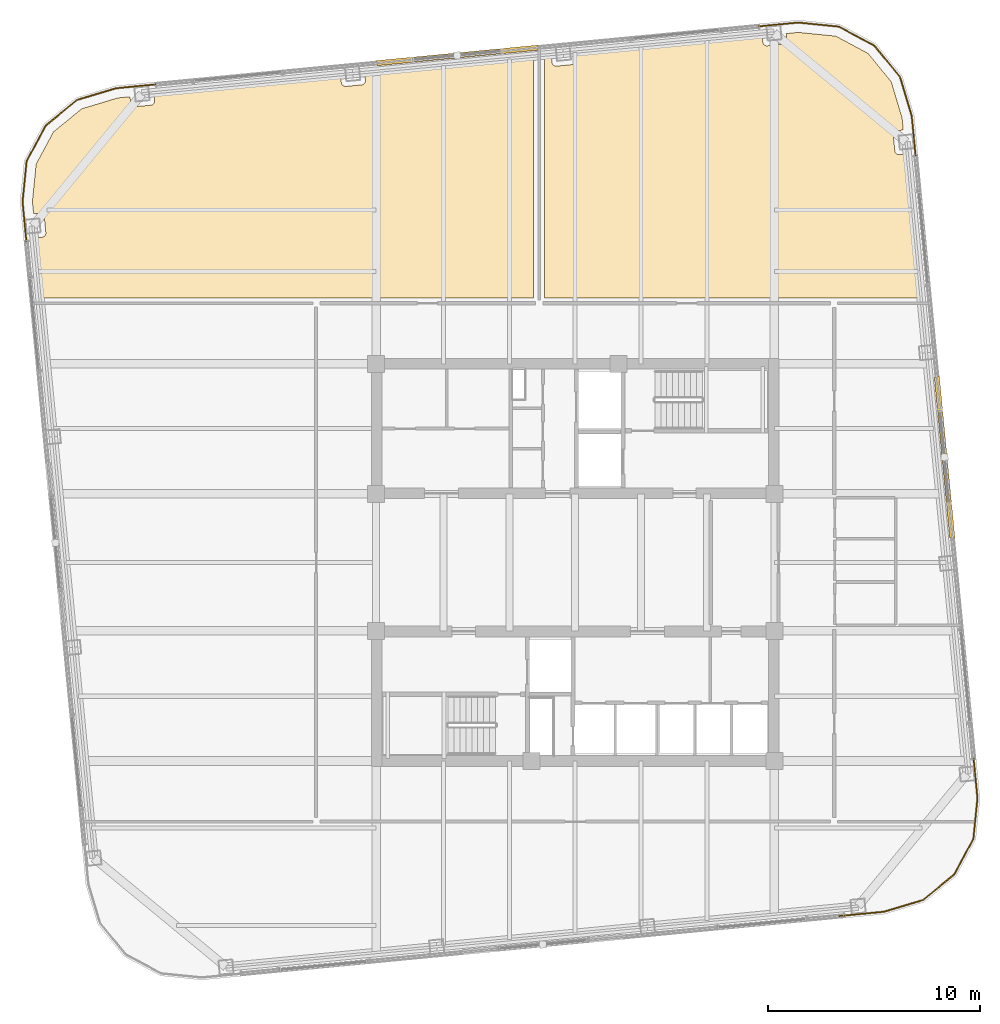
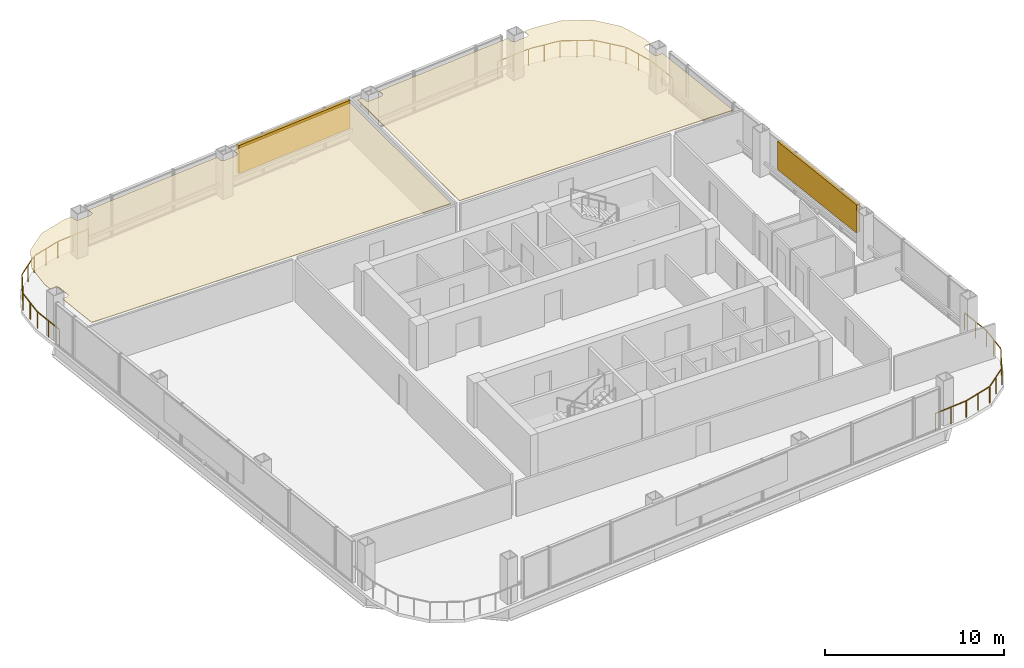
# One storey, part 28 of 28: 4 railings, 2 coverings, 2 shading devices.
"""IFC4 building model written with IfcOpenShell, lengths in metres."""

from ifc_helpers import new_model, si_unit, direction, frame, origin, origin_2d, place, context, subcontext, project, spatial, polyline, rectangle, outline, extrude, material, layer, layer_set, type_object, element, save


model = new_model("IFC4")

# Units and contexts
model_context = context("Model", 3, precision=1e-05, world=origin(), true_north=direction((0.0, 1.0)))
body_context = subcontext(model_context, "Body", "Model", "MODEL_VIEW")
ifc_project = project(units=[si_unit("LENGTHUNIT", "METRE"), si_unit("AREAUNIT", "SQUARE_METRE"), si_unit("VOLUMEUNIT", "CUBIC_METRE"), si_unit("PLANEANGLEUNIT", "RADIAN"), si_unit("MASSUNIT", "GRAM", prefix="KILO")], contexts=[model_context])

# Site, building, storey
site_placement = place(None, origin())
site = spatial("IfcSite", under=ifc_project, at=site_placement, CompositionType="ELEMENT")
building_placement = place(site_placement, origin())
building = spatial("IfcBuilding", under=site, at=building_placement, Name="Qhalaya Broadcast Tower", CompositionType="ELEMENT")
storey_placement = place(building_placement, frame((0.0, 0.0, 159.199951171875)))
storey = spatial("IfcBuildingStorey", under=building, at=storey_placement, Name="L46", CompositionType="ELEMENT", Elevation=159.199951171875)

# Coverings
ifc_material_1 = material(Name="Acoustic Mineral-Fibre Ceiling")
ifc_layer = layer(ifc_material_1, 0.0400390625, Name="Acoustic Mineral-Fibre Ceiling")
ifc_layer_set = layer_set([ifc_layer], Name="Acoustic Mineral-Fibre Ceiling")
covering_type = type_object("IfcCoveringType", Name="Acoustic Mineral-Fibre Suspended Ceiling CLG-01", PredefinedType="CEILING", material=ifc_layer_set)
covering_1_placement = place(storey_placement, frame((0.0, 0.0, 2.7900390625)))
element("IfcCovering", 1, at=covering_1_placement, inside=storey, type_object=covering_type, Name="L46 Acoustic Suspended Ceiling 01", PredefinedType="CEILING", context=body_context, shape_type="SweptSolid", body=[
    extrude(outline(polyline([(-25.3935546875, 15.88232421875), (-25.12158203125, 13.06005859375), (-1.9599609375, 13.06005859375), (-1.9599609375, 24.357177734375), (-9.904541015625, 23.59228515625), (-9.876708984375, 23.3037109375), (-9.875732421875, 23.2841796875), (-9.876708984375, 23.264404296875), (-9.879638671875, 23.2451171875), (-9.884521484375, 23.22607421875), (-9.89111328125, 23.20751953125), (-9.899658203125, 23.18994140625), (-9.90966796875, 23.173095703125), (-9.92138671875, 23.1572265625), (-9.934814453125, 23.142822265625), (-9.94921875, 23.129638671875), (-9.965087890625, 23.117919921875), (-9.98193359375, 23.10791015625), (-9.99951171875, 23.099609375), (-10.01806640625, 23.093017578125), (-10.037109375, 23.08837890625), (-10.056640625, 23.08544921875), (-10.793212890625, 23.014404296875), (-10.812744140625, 23.013427734375), (-10.83251953125, 23.014404296875), (-10.851806640625, 23.017333984375), (-10.870849609375, 23.022216796875), (-10.889404296875, 23.02880859375), (-10.906982421875, 23.037353515625), (-10.923828125, 23.04736328125), (-10.939697265625, 23.05908203125), (-10.9541015625, 23.072509765625), (-10.96728515625, 23.0869140625), (-10.97900390625, 23.102783203125), (-10.989013671875, 23.11962890625), (-10.997314453125, 23.137451171875), (-11.00390625, 23.15576171875), (-11.008544921875, 23.1748046875), (-11.011474609375, 23.1943359375), (-11.039306640625, 23.483154296875), (-19.8251953125, 22.636962890625), (-19.797607421875, 22.348388671875), (-19.796630859375, 22.328857421875), (-19.797607421875, 22.30908203125), (-19.800537109375, 22.289794921875), (-19.805419921875, 22.270751953125), (-19.81201171875, 22.252197265625), (-19.8203125, 22.234619140625), (-19.83056640625, 22.2177734375), (-19.84228515625, 22.201904296875), (-19.85546875, 22.1875), (-19.8701171875, 22.17431640625), (-19.8857421875, 22.16259765625), (-19.902587890625, 22.152587890625), (-19.92041015625, 22.144287109375), (-19.93896484375, 22.1376953125), (-19.9580078125, 22.133056640625), (-19.977294921875, 22.130126953125), (-20.714111328125, 22.05908203125), (-20.733642578125, 22.05810546875), (-20.753173828125, 22.05908203125), (-20.772705078125, 22.06201171875), (-20.791748046875, 22.06689453125), (-20.81005859375, 22.073486328125), (-20.827880859375, 22.08203125), (-20.8447265625, 22.092041015625), (-20.8603515625, 22.10400390625), (-20.875, 22.1171875), (-20.88818359375, 22.131591796875), (-20.899658203125, 22.1474609375), (-20.909912109375, 22.164306640625), (-20.918212890625, 22.18212890625), (-20.9248046875, 22.200439453125), (-20.929443359375, 22.219482421875), (-20.932373046875, 22.239013671875), (-20.960205078125, 22.527587890625), (-21.5302734375, 22.472900390625), (-23.2333984375, 21.960205078125), (-24.5654296875, 20.8720703125), (-25.379638671875, 19.356689453125), (-25.5576171875, 17.58740234375), (-25.502685546875, 17.01708984375), (-25.214111328125, 17.044921875), (-25.194580078125, 17.0458984375), (-25.175048828125, 17.044921875), (-25.155517578125, 17.0419921875), (-25.136474609375, 17.037109375), (-25.1181640625, 17.030517578125), (-25.100341796875, 17.02197265625), (-25.08349609375, 17.011962890625), (-25.06787109375, 17.0), (-25.05322265625, 16.98681640625), (-25.0400390625, 16.972412109375), (-25.028564453125, 16.95654296875), (-25.018310546875, 16.939697265625), (-25.010009765625, 16.922119140625), (-25.00341796875, 16.903564453125), (-24.998779296875, 16.884521484375), (-24.995849609375, 16.864990234375), (-24.9248046875, 16.12841796875), (-24.924072265625, 16.10888671875), (-24.925048828125, 16.089111328125), (-24.927978515625, 16.06982421875), (-24.9326171875, 16.05078125), (-24.939453125, 16.0322265625), (-24.94775390625, 16.0146484375), (-24.9580078125, 15.997802734375), (-24.9697265625, 15.98193359375), (-24.98291015625, 15.967529296875), (-24.997314453125, 15.954345703125), (-25.01318359375, 15.942626953125), (-25.030029296875, 15.9326171875), (-25.0478515625, 15.92431640625), (-25.06640625, 15.917724609375), (-25.08544921875, 15.9130859375), (-25.104736328125, 15.91015625), (-25.3935546875, 15.88232421875)])), origin(), (0.0, 0.0, 1.0), 0.0400390625),
])
covering_2_placement = place(storey_placement, frame((0.0, 0.0, 2.7900390625)))
element("IfcCovering", 2, at=covering_2_placement, inside=storey, type_object=covering_type, Name="L46 Acoustic Suspended Ceiling 02", PredefinedType="CEILING", context=body_context, shape_type="SweptSolid", body=[
    extrude(outline(polyline([(-1.118408203125, 24.438232421875), (-1.43994140625, 24.4072265625), (-1.43994140625, 13.06005859375), (16.20849609375, 13.06005859375), (15.556884765625, 19.8251953125), (15.268310546875, 19.797607421875), (15.248779296875, 19.796630859375), (15.229248046875, 19.797607421875), (15.209716796875, 19.800537109375), (15.190673828125, 19.805419921875), (15.17236328125, 19.81201171875), (15.154541015625, 19.8203125), (15.1376953125, 19.83056640625), (15.1220703125, 19.84228515625), (15.107421875, 19.85546875), (15.09423828125, 19.8701171875), (15.082763671875, 19.8857421875), (15.072509765625, 19.902587890625), (15.064208984375, 19.92041015625), (15.0576171875, 19.93896484375), (15.052978515625, 19.9580078125), (15.050048828125, 19.977294921875), (14.97900390625, 20.714111328125), (14.978271484375, 20.733642578125), (14.979248046875, 20.753173828125), (14.982177734375, 20.772705078125), (14.98681640625, 20.791748046875), (14.99365234375, 20.81005859375), (15.001953125, 20.827880859375), (15.01220703125, 20.8447265625), (15.02392578125, 20.8603515625), (15.037109375, 20.875), (15.051513671875, 20.88818359375), (15.0673828125, 20.899658203125), (15.084228515625, 20.909912109375), (15.10205078125, 20.918212890625), (15.12060546875, 20.9248046875), (15.1396484375, 20.929443359375), (15.158935546875, 20.932373046875), (15.44775390625, 20.960205078125), (15.392822265625, 21.5302734375), (14.88037109375, 23.2333984375), (13.7919921875, 24.5654296875), (12.276611328125, 25.379638671875), (10.50732421875, 25.5576171875), (9.93701171875, 25.502685546875), (9.96484375, 25.214111328125), (9.9658203125, 25.194580078125), (9.96484375, 25.175048828125), (9.9619140625, 25.155517578125), (9.95703125, 25.136474609375), (9.950439453125, 25.1181640625), (9.94189453125, 25.100341796875), (9.931884765625, 25.08349609375), (9.920166015625, 25.06787109375), (9.906982421875, 25.05322265625), (9.892333984375, 25.0400390625), (9.876708984375, 25.028564453125), (9.859619140625, 25.018310546875), (9.842041015625, 25.010009765625), (9.823486328125, 25.00341796875), (9.804443359375, 24.998779296875), (9.784912109375, 24.995849609375), (9.04833984375, 24.9248046875), (9.02880859375, 24.924072265625), (9.00927734375, 24.925048828125), (8.98974609375, 24.927978515625), (8.970703125, 24.9326171875), (8.952392578125, 24.939453125), (8.9345703125, 24.94775390625), (8.917724609375, 24.9580078125), (8.902099609375, 24.9697265625), (8.887451171875, 24.98291015625), (8.874267578125, 24.997314453125), (8.86279296875, 25.01318359375), (8.8525390625, 25.030029296875), (8.84423828125, 25.0478515625), (8.837646484375, 25.06640625), (8.8330078125, 25.08544921875), (8.830078125, 25.104736328125), (8.80224609375, 25.3935546875), (0.016357421875, 24.547607421875), (0.044189453125, 24.259033203125), (0.044921875, 24.239501953125), (0.0439453125, 24.2197265625), (0.041015625, 24.200439453125), (0.036376953125, 24.181396484375), (0.029541015625, 24.162841796875), (0.021240234375, 24.145263671875), (0.010986328125, 24.12841796875), (-0.000732421875, 24.112548828125), (-0.013916015625, 24.09814453125), (-0.0283203125, 24.0849609375), (-0.044189453125, 24.0732421875), (-0.06103515625, 24.063232421875), (-0.078857421875, 24.054931640625), (-0.097412109375, 24.04833984375), (-0.116455078125, 24.043701171875), (-0.1357421875, 24.040771484375), (-0.872314453125, 23.9697265625), (-0.89208984375, 23.96875), (-0.91162109375, 23.9697265625), (-0.930908203125, 23.97265625), (-0.9501953125, 23.9775390625), (-0.968505859375, 23.984130859375), (-0.986083984375, 23.99267578125), (-1.003173828125, 24.002685546875), (-1.018798828125, 24.014404296875), (-1.033203125, 24.027587890625), (-1.04638671875, 24.042236328125), (-1.05810546875, 24.05810546875), (-1.068115234375, 24.074951171875), (-1.076416015625, 24.0927734375), (-1.0830078125, 24.111083984375), (-1.087890625, 24.130126953125), (-1.0908203125, 24.149658203125), (-1.118408203125, 24.438232421875)])), origin(), (0.0, 0.0, 1.0), 0.0400390625),
])

# Railings
ifc_material_2 = material(Name="Powder-Coated Galvanised Steel", Category="steel")
railing_type = type_object("IfcRailingType", Name="Terrace, Sky-Pool & Lookout Glass Balustrade 1150", PredefinedType="BALUSTRADE", material=ifc_material_2)
railing_1_placement = place(storey_placement, frame((14.53955078125, -15.846435546875, 0.0)))
element("IfcRailing", 3, at=railing_1_placement, inside=storey, type_object=railing_type, Name="L46 Rounded Corner Perimeter Guard 01", PredefinedType="BALUSTRADE", context=body_context, shape_type="SweptSolid", body=[
    extrude(rectangle(XDim=0.048095703125, YDim=0.048095703125, at=origin_2d()), frame((0.0, 0.0, 1.1259765625), z_axis=(-0.995402268864, -0.095782687057, 0.0), x_axis=(0.095782687057, -0.995402268864, 0.0)), (0.0, 0.0, 1.0), 2.1181640625),
    extrude(rectangle(XDim=0.0419921875, YDim=0.0419921875, at=origin_2d()), origin(), (0.0, 0.0, 1.0), 1.099853515625),
    extrude(rectangle(XDim=0.0419921875, YDim=0.0419921875, at=origin_2d()), frame((-1.05419921875, -0.1015625, 0.0)), (0.0, 0.0, 1.0), 1.099853515625),
    extrude(rectangle(XDim=0.0419921875, YDim=0.0419921875, at=origin_2d()), frame((-2.1083984375, -0.202880859375, 0.0)), (0.0, 0.0, 1.0), 1.099853515625),
])
railing_2_placement = place(storey_placement, frame((-25.81689453125, 15.479736328125, 0.0)))
element("IfcRailing", 4, at=railing_2_placement, inside=storey, type_object=railing_type, Name="L46 Rounded Corner Perimeter Guard 03", PredefinedType="BALUSTRADE", context=body_context, shape_type="SweptSolid", body=[
    extrude(rectangle(XDim=0.048095703125, YDim=0.048095703125, at=origin_2d()), frame((0.0, 0.0, 1.1259765625), z_axis=(-0.095896889673, 0.995391273094, 0.0), x_axis=(-0.995391273094, -0.095896889673, 0.0)), (0.0, 0.0, 1.0), 2.08935546875),
    extrude(rectangle(XDim=0.048095703125, YDim=0.048095703125, at=origin_2d()), frame((-0.2001953125, 2.13720703125, 1.1259765625), z_axis=(0.100185175984, 0.994968808814, 0.0), x_axis=(-0.994968808814, 0.100185175984, 0.0)), (0.0, 0.0, 1.0), 1.857666015625),
    extrude(rectangle(XDim=0.048095703125, YDim=0.048095703125, at=origin_2d()), frame((0.00244140625, 4.03955078125, 1.1259765625), z_axis=(0.473342342286, 0.880878554058, 0.0), x_axis=(-0.880878554058, 0.473342342286, 0.0)), (0.0, 0.0, 1.0), 1.845458984375),
    extrude(rectangle(XDim=0.048095703125, YDim=0.048095703125, at=origin_2d()), frame((0.912109375, 5.708984375, 1.1259765625), z_axis=(0.774368685352, 0.632734651451, 0.0), x_axis=(-0.632734651451, 0.774368685352, 0.0)), (0.0, 0.0, 1.0), 1.84521484375),
    extrude(rectangle(XDim=0.048095703125, YDim=0.048095703125, at=origin_2d()), frame((2.390869140625, 6.903076171875, 1.1259765625), z_axis=(0.957576860039, 0.288177995547, 0.0), x_axis=(-0.288177995547, 0.957576860039, 0.0)), (0.0, 0.0, 1.0), 1.857666015625),
    extrude(rectangle(XDim=0.048095703125, YDim=0.048095703125, at=origin_2d()), frame((4.226318359375, 7.449462890625, 1.1259765625), z_axis=(0.995402268864, 0.095782687057, 0.0), x_axis=(-0.095782687057, 0.995402268864, 0.0)), (0.0, 0.0, 1.0), 2.08935546875),
    extrude(rectangle(XDim=0.0419921875, YDim=0.0419921875, at=origin_2d()), origin(), (0.0, 0.0, 1.0), 1.099853515625),
    extrude(rectangle(XDim=0.0419921875, YDim=0.0419921875, at=origin_2d()), frame((-0.1015625, 1.05419921875, 0.0)), (0.0, 0.0, 1.0), 1.099853515625),
    extrude(rectangle(XDim=0.0419921875, YDim=0.0419921875, at=origin_2d()), frame((-0.203125, 2.1083984375, 0.0)), (0.0, 0.0, 1.0), 1.099853515625),
    extrude(rectangle(XDim=0.0419921875, YDim=0.0419921875, at=origin_2d()), frame((-0.107177734375, 3.061279296875, 0.0)), (0.0, 0.0, 1.0), 1.099853515625),
    extrude(rectangle(XDim=0.0419921875, YDim=0.0419921875, at=origin_2d()), frame((-0.01123046875, 4.01416015625, 0.0)), (0.0, 0.0, 1.0), 1.099853515625),
    extrude(rectangle(XDim=0.0419921875, YDim=0.0419921875, at=origin_2d()), frame((0.439208984375, 4.8525390625, 0.0)), (0.0, 0.0, 1.0), 1.099853515625),
    extrude(rectangle(XDim=0.0419921875, YDim=0.0419921875, at=origin_2d()), frame((0.8896484375, 5.690673828125, 0.0)), (0.0, 0.0, 1.0), 1.099853515625),
    extrude(rectangle(XDim=0.0419921875, YDim=0.0419921875, at=origin_2d()), frame((1.62646484375, 6.292724609375, 0.0)), (0.0, 0.0, 1.0), 1.099853515625),
    extrude(rectangle(XDim=0.0419921875, YDim=0.0419921875, at=origin_2d()), frame((2.36328125, 6.894775390625, 0.0)), (0.0, 0.0, 1.0), 1.099853515625),
    extrude(rectangle(XDim=0.0419921875, YDim=0.0419921875, at=origin_2d()), frame((3.2802734375, 7.1708984375, 0.0)), (0.0, 0.0, 1.0), 1.099853515625),
    extrude(rectangle(XDim=0.0419921875, YDim=0.0419921875, at=origin_2d()), frame((4.197509765625, 7.44677734375, 0.0)), (0.0, 0.0, 1.0), 1.099853515625),
    extrude(rectangle(XDim=0.0419921875, YDim=0.0419921875, at=origin_2d()), frame((5.251708984375, 7.54833984375, 0.0)), (0.0, 0.0, 1.0), 1.099853515625),
    extrude(rectangle(XDim=0.0419921875, YDim=0.0419921875, at=origin_2d()), frame((6.305908203125, 7.649658203125, 0.0)), (0.0, 0.0, 1.0), 1.099853515625),
])
railing_3_placement = place(storey_placement, frame((8.39990234375, 25.81689453125, 0.0)))
element("IfcRailing", 5, at=railing_3_placement, inside=storey, type_object=railing_type, Name="L46 Rounded Corner Perimeter Guard 04", PredefinedType="BALUSTRADE", context=body_context, shape_type="SweptSolid", body=[
    extrude(rectangle(XDim=0.048095703125, YDim=0.048095703125, at=origin_2d()), frame((0.0, 0.0, 1.1259765625), z_axis=(0.995391273094, 0.095896889673, 0.0), x_axis=(-0.095896889673, 0.995391273094, 0.0)), (0.0, 0.0, 1.0), 2.08935546875),
    extrude(rectangle(XDim=0.048095703125, YDim=0.048095703125, at=origin_2d()), frame((2.13720703125, 0.2001953125, 1.1259765625), z_axis=(0.994967529225, -0.100197883148, 0.0), x_axis=(0.100197883148, 0.994967529225, 0.0)), (0.0, 0.0, 1.0), 1.857421875),
    extrude(rectangle(XDim=0.048095703125, YDim=0.048095703125, at=origin_2d()), frame((4.039306640625, -0.00244140625, 1.1259765625), z_axis=(0.880878554058, -0.473342342286, 0.0), x_axis=(0.473342342286, 0.880878554058, 0.0)), (0.0, 0.0, 1.0), 1.845458984375),
    extrude(rectangle(XDim=0.048095703125, YDim=0.048095703125, at=origin_2d()), frame((5.708740234375, -0.912109375, 1.1259765625), z_axis=(0.632734651451, -0.774368685352, 0.0), x_axis=(0.774368685352, 0.632734651451, 0.0)), (0.0, 0.0, 1.0), 1.84521484375),
    extrude(rectangle(XDim=0.048095703125, YDim=0.048095703125, at=origin_2d()), frame((6.90283203125, -2.390869140625, 1.1259765625), z_axis=(0.288177995547, -0.957576860039, 0.0), x_axis=(0.957576860039, 0.288177995547, 0.0)), (0.0, 0.0, 1.0), 1.857666015625),
    extrude(rectangle(XDim=0.048095703125, YDim=0.048095703125, at=origin_2d()), frame((7.44921875, -4.226318359375, 1.1259765625), z_axis=(0.095782687057, -0.995402268864, 0.0), x_axis=(0.995402268864, 0.095782687057, 0.0)), (0.0, 0.0, 1.0), 2.08935546875),
    extrude(rectangle(XDim=0.0419921875, YDim=0.0419921875, at=origin_2d()), origin(), (0.0, 0.0, 1.0), 1.099853515625),
    extrude(rectangle(XDim=0.0419921875, YDim=0.0419921875, at=origin_2d()), frame((1.05419921875, 0.1015625, 0.0)), (0.0, 0.0, 1.0), 1.099853515625),
    extrude(rectangle(XDim=0.0419921875, YDim=0.0419921875, at=origin_2d()), frame((2.1083984375, 0.203125, 0.0)), (0.0, 0.0, 1.0), 1.099853515625),
    extrude(rectangle(XDim=0.0419921875, YDim=0.0419921875, at=origin_2d()), frame((3.06103515625, 0.107177734375, 0.0)), (0.0, 0.0, 1.0), 1.099853515625),
    extrude(rectangle(XDim=0.0419921875, YDim=0.0419921875, at=origin_2d()), frame((4.013916015625, 0.01123046875, 0.0)), (0.0, 0.0, 1.0), 1.099853515625),
    extrude(rectangle(XDim=0.0419921875, YDim=0.0419921875, at=origin_2d()), frame((4.85205078125, -0.439208984375, 0.0)), (0.0, 0.0, 1.0), 1.099853515625),
    extrude(rectangle(XDim=0.0419921875, YDim=0.0419921875, at=origin_2d()), frame((5.6904296875, -0.8896484375, 0.0)), (0.0, 0.0, 1.0), 1.099853515625),
    extrude(rectangle(XDim=0.0419921875, YDim=0.0419921875, at=origin_2d()), frame((6.29248046875, -1.62646484375, 0.0)), (0.0, 0.0, 1.0), 1.099853515625),
    extrude(rectangle(XDim=0.0419921875, YDim=0.0419921875, at=origin_2d()), frame((6.89453125, -2.36328125, 0.0)), (0.0, 0.0, 1.0), 1.099853515625),
    extrude(rectangle(XDim=0.0419921875, YDim=0.0419921875, at=origin_2d()), frame((7.17041015625, -3.2802734375, 0.0)), (0.0, 0.0, 1.0), 1.099853515625),
    extrude(rectangle(XDim=0.0419921875, YDim=0.0419921875, at=origin_2d()), frame((7.446533203125, -4.197509765625, 0.0)), (0.0, 0.0, 1.0), 1.099853515625),
    extrude(rectangle(XDim=0.0419921875, YDim=0.0419921875, at=origin_2d()), frame((7.5478515625, -5.251708984375, 0.0)), (0.0, 0.0, 1.0), 1.099853515625),
    extrude(rectangle(XDim=0.0419921875, YDim=0.0419921875, at=origin_2d()), frame((7.6494140625, -6.305908203125, 0.0)), (0.0, 0.0, 1.0), 1.099853515625),
])
railing_4_placement = place(storey_placement, frame((18.73681640625, -8.39990234375, 0.0)))
element("IfcRailing", 6, at=railing_4_placement, inside=storey, type_object=railing_type, Name="L46 Rounded Corner Perimeter Guard 05", PredefinedType="BALUSTRADE", context=body_context, shape_type="SweptSolid", body=[
    extrude(rectangle(XDim=0.048095703125, YDim=0.048095703125, at=origin_2d()), frame((0.0, 0.0, 1.1259765625), z_axis=(0.095896889673, -0.995391273094, 0.0), x_axis=(0.995391273094, 0.095896889673, 0.0)), (0.0, 0.0, 1.0), 2.08935546875),
    extrude(rectangle(XDim=0.048095703125, YDim=0.048095703125, at=origin_2d()), frame((0.2001953125, -2.13720703125, 1.1259765625), z_axis=(-0.100197883148, -0.994967529225, 0.0), x_axis=(0.994967529225, -0.100197883148, 0.0)), (0.0, 0.0, 1.0), 1.857421875),
    extrude(rectangle(XDim=0.048095703125, YDim=0.048095703125, at=origin_2d()), frame((-0.00244140625, -4.039306640625, 1.1259765625), z_axis=(-0.473242797018, -0.880932037714, 0.0), x_axis=(0.880932037714, -0.473242797018, 0.0)), (0.0, 0.0, 1.0), 1.845458984375),
    extrude(rectangle(XDim=0.048095703125, YDim=0.048095703125, at=origin_2d()), frame((-0.911865234375, -5.708740234375, 1.1259765625), z_axis=(-0.774420039683, -0.632671796541, 0.0), x_axis=(0.632671796541, -0.774420039683, 0.0)), (0.0, 0.0, 1.0), 1.845458984375),
    extrude(rectangle(XDim=0.048095703125, YDim=0.048095703125, at=origin_2d()), frame((-2.390869140625, -6.90283203125, 1.1259765625), z_axis=(-0.95756627332, -0.288213171456, 0.0), x_axis=(0.288213171456, -0.95756627332, 0.0)), (0.0, 0.0, 1.0), 1.886474609375),
    extrude(rectangle(XDim=0.0419921875, YDim=0.0419921875, at=origin_2d()), origin(), (0.0, 0.0, 1.0), 1.099853515625),
    extrude(rectangle(XDim=0.0419921875, YDim=0.0419921875, at=origin_2d()), frame((0.1015625, -1.05419921875, 0.0)), (0.0, 0.0, 1.0), 1.099853515625),
    extrude(rectangle(XDim=0.0419921875, YDim=0.0419921875, at=origin_2d()), frame((0.203125, -2.1083984375, 0.0)), (0.0, 0.0, 1.0), 1.099853515625),
    extrude(rectangle(XDim=0.0419921875, YDim=0.0419921875, at=origin_2d()), frame((0.107177734375, -3.06103515625, 0.0)), (0.0, 0.0, 1.0), 1.099853515625),
    extrude(rectangle(XDim=0.0419921875, YDim=0.0419921875, at=origin_2d()), frame((0.01123046875, -4.013916015625, 0.0)), (0.0, 0.0, 1.0), 1.099853515625),
    extrude(rectangle(XDim=0.0419921875, YDim=0.0419921875, at=origin_2d()), frame((-0.43896484375, -4.85205078125, 0.0)), (0.0, 0.0, 1.0), 1.099853515625),
    extrude(rectangle(XDim=0.0419921875, YDim=0.0419921875, at=origin_2d()), frame((-0.889404296875, -5.6904296875, 0.0)), (0.0, 0.0, 1.0), 1.099853515625),
    extrude(rectangle(XDim=0.0419921875, YDim=0.0419921875, at=origin_2d()), frame((-1.62646484375, -6.29248046875, 0.0)), (0.0, 0.0, 1.0), 1.099853515625),
    extrude(rectangle(XDim=0.0419921875, YDim=0.0419921875, at=origin_2d()), frame((-2.36328125, -6.89453125, 0.0)), (0.0, 0.0, 1.0), 1.099853515625),
    extrude(rectangle(XDim=0.0419921875, YDim=0.0419921875, at=origin_2d()), frame((-3.2802734375, -7.17041015625, 0.0)), (0.0, 0.0, 1.0), 1.099853515625),
    extrude(rectangle(XDim=0.0419921875, YDim=0.0419921875, at=origin_2d()), frame((-4.197265625, -7.446533203125, 0.0)), (0.0, 0.0, 1.0), 1.099853515625),
])

# Shading devices
ifc_material_3 = material(Name="Fired Architectural Terracotta", Category="masonry")
shading_device_type = type_object("IfcShadingDeviceType", Name="Terracotta Baguette Solar Screen Assembly TBS-01", PredefinedType="USERDEFINED", material=ifc_material_3)
for number, where, z_axis, x_axis, name in (
    (7, (17.393310546875, 5.5556640625, 0.79248046875), (0.0, 0.0, 1.0), (-0.09584575252, 0.995396198367, 0.0), "L46 Fired Terracotta Baguette Screen E"),
    (8, (-5.5556640625, 24.47314453125, 0.79248046875), (0.0, 0.0, 1.0), (-0.995396198367, -0.09584575252, 0.0), "L46 Fired Terracotta Baguette Screen N"),
):
    element("IfcShadingDevice", number, at=place(storey_placement, frame(where, z_axis=z_axis, x_axis=x_axis)), inside=storey, type_object=shading_device_type, Name=name, ObjectType="BAGUETTE", PredefinedType="USERDEFINED", context=body_context, shape_type="SweptSolid", body=[
        extrude(rectangle(XDim=7.60009765625, YDim=0.239990234375, at=origin_2d()), origin(), (0.0, 0.0, 1.0), 1.924072265625),
    ])

save(model, "model.ifc")
